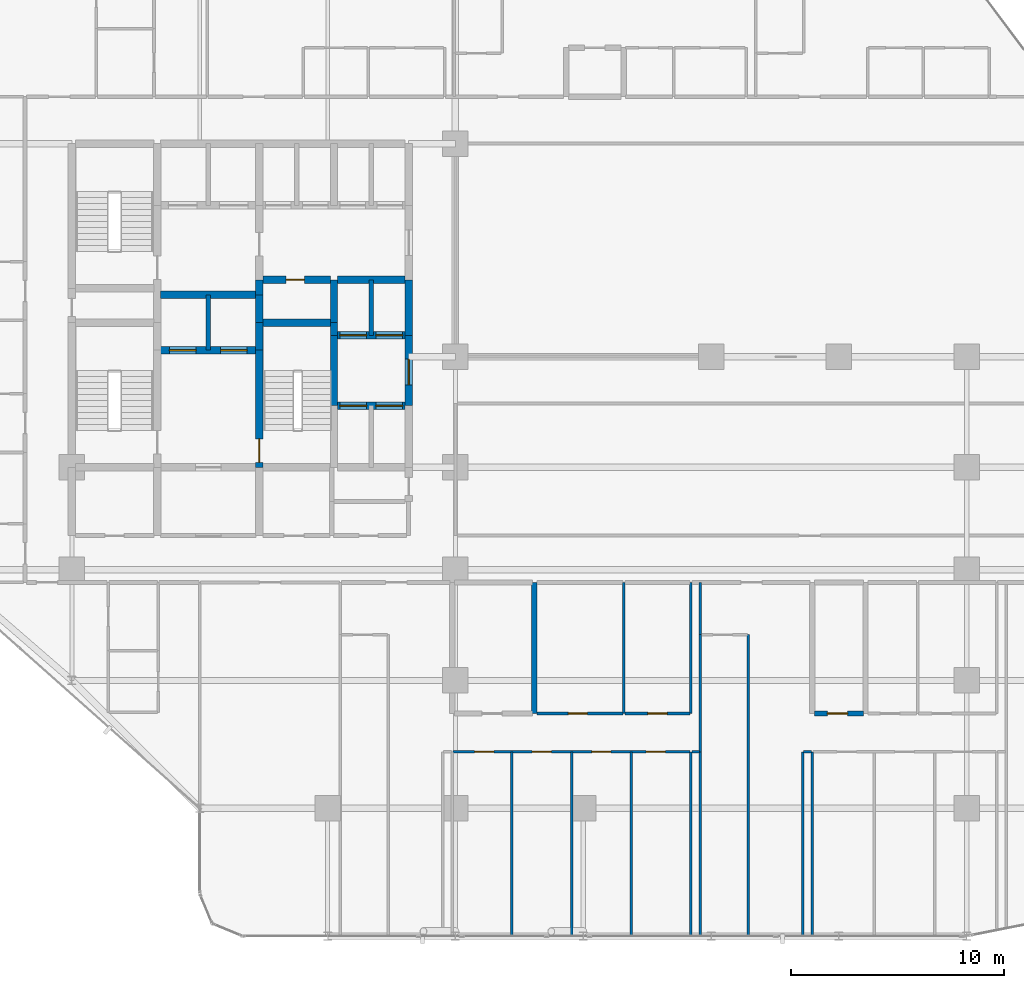
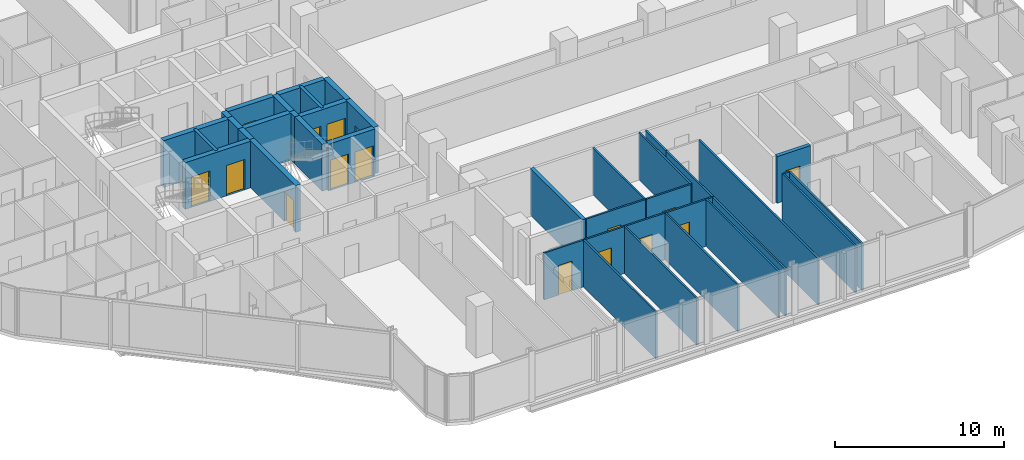
# One storey, part 28 of 34: 37 walls, 16 doors, 16 openings.
"""IFC4 building model written with IfcOpenShell, lengths in metres."""

import ifcopenshell
import ifcopenshell.guid

model = None  # the IFC model being written
_history = None  # IfcOwnerHistory: only IFC2X3 demands one
_inside = {}  # id of a spatial element -> (the spatial element, [elements in it])
_under = {}  # id of a project, library or spatial element -> (it, [spatial elements below it])
_declared = {}  # id of a project -> (the project, [libraries it declares])
_typed = {}  # id of a type object -> (the type object, [elements of that type])
_made_of = {}  # id of a material, layer set ... -> (it, [elements and type objects made of it])


def new_model(schema):
    """Start an empty IFC model of exactly this schema.

    Asked for "IFC4X3", IfcOpenShell would pick the latest addendum, in which some entities
    have other attributes; the version numbers below select the first issue.
    IFC2X3 requires an IfcOwnerHistory on every rooted entity: one is made here for all.
    """
    global model, _history
    if schema == "IFC4X3":
        model = ifcopenshell.file(schema_version=(4, 3, 0, 0))
    else:
        model = ifcopenshell.file(schema=schema)
    _inside.clear()
    _under.clear()
    _declared.clear()
    _typed.clear()
    _made_of.clear()
    _history = None
    if model.schema == "IFC2X3":
        org = make("IfcOrganization", Name="unknown")
        user = make(
            "IfcPersonAndOrganization",
            ThePerson=make("IfcPerson", FamilyName="unknown"),
            TheOrganization=org,
        )
        app = make(
            "IfcApplication",
            ApplicationDeveloper=org,
            Version="unknown",
            ApplicationFullName="unknown",
            ApplicationIdentifier="unknown",
        )
        _history = make(
            "IfcOwnerHistory",
            OwningUser=user,
            OwningApplication=app,
            ChangeAction="ADDED",
            CreationDate=0,
        )
    return model


def make(cls, **values):
    """One entity of the class cls with the attributes given. An attribute that is None is left unset."""
    return model.create_entity(
        cls, **{name: value for name, value in values.items() if value is not None}
    )


def rooted(cls, **values):
    """An entity with a GlobalId (a new one), such as an element, a storey or a relation."""
    return make(cls, GlobalId=ifcopenshell.guid.new(), OwnerHistory=_history, **values)


def si_unit(unit_type, name, prefix=None):
    """IfcSIUnit, for example si_unit("LENGTHUNIT", "METRE", prefix="MILLI")."""
    return make("IfcSIUnit", UnitType=unit_type, Prefix=prefix, Name=name)


def assignment(units):
    """IfcUnitAssignment: the units of a project."""
    return None if units is None else make("IfcUnitAssignment", Units=units)


def point(xyz):
    """IfcCartesianPoint."""
    return None if xyz is None else make("IfcCartesianPoint", Coordinates=xyz)


def direction(xyz):
    """IfcDirection."""
    return None if xyz is None else make("IfcDirection", DirectionRatios=xyz)


def frame(location, z_axis=None, x_axis=None):
    """IfcAxis2Placement3D, a coordinate frame: its origin and axes. An axis left out is left unset."""
    return make(
        "IfcAxis2Placement3D",
        Location=point(location),
        Axis=direction(z_axis),
        RefDirection=direction(x_axis),
    )


def frame_2d(location, x_axis=None):
    """IfcAxis2Placement2D, a coordinate frame in the plane: its origin and x axis."""
    return make(
        "IfcAxis2Placement2D", Location=point(location), RefDirection=direction(x_axis)
    )


def origin():
    """The frame at (0, 0, 0) with its axes left unset."""
    return frame((0.0, 0.0, 0.0))


def place(relative_to, where):
    """IfcLocalPlacement: puts the frame where relative to a parent placement (None: the world)."""
    return make(
        "IfcLocalPlacement", PlacementRelTo=relative_to, RelativePlacement=where
    )


def context(
    kind, dimensions, precision=None, world=None, true_north=None, identifier=None
):
    """IfcGeometricRepresentationContext, for example the 3D "Model" context."""
    return make(
        "IfcGeometricRepresentationContext",
        ContextIdentifier=identifier,
        ContextType=kind,
        CoordinateSpaceDimension=dimensions,
        Precision=precision,
        WorldCoordinateSystem=world,
        TrueNorth=true_north,
    )


def subcontext(parent, identifier, kind, view, scale=None):
    """IfcGeometricRepresentationSubContext, for example "Body" below "Model"."""
    return make(
        "IfcGeometricRepresentationSubContext",
        ContextIdentifier=identifier,
        ContextType=kind,
        ParentContext=parent,
        TargetScale=scale,
        TargetView=view,
    )


def project(units=None, contexts=None):
    """IfcProject with its units and contexts."""
    return rooted(
        "IfcProject",
        Name="project",
        RepresentationContexts=contexts,
        UnitsInContext=assignment(units),
    )


def spatial(cls, under=None, at=None, **own):
    """A site, building, storey or space (cls), placed at a placement, below another one or the project."""
    s = rooted(cls, ObjectPlacement=at, **own)
    if under is not None:
        _under.setdefault(under.id(), (under, []))[1].append(s)
    return s


def profile(cls, at=None, kind="AREA", **sizes):
    """A parametric profile (cls). Its sizes go by their IFC names, for example OverallWidth=200.0."""
    return make(cls, ProfileType=kind, Position=at, **sizes)


def rectangle(**sizes):
    """IfcRectangleProfileDef."""
    return profile("IfcRectangleProfileDef", **sizes)


def extrude(swept, where, along, depth):
    """IfcExtrudedAreaSolid: the profile swept, set in the frame where, extruded along a direction by depth."""
    return make(
        "IfcExtrudedAreaSolid",
        SweptArea=swept,
        Position=where,
        ExtrudedDirection=direction(along),
        Depth=depth,
    )


def shape(context_of_items, identifier, shape_type, items):
    """IfcShapeRepresentation: the items that make up one representation, for example the "Body"."""
    return make(
        "IfcShapeRepresentation",
        ContextOfItems=context_of_items,
        RepresentationIdentifier=identifier,
        RepresentationType=shape_type,
        Items=items,
    )


def material(Name=None, Category=None):
    """IfcMaterial."""
    return make("IfcMaterial", Name=Name, Category=Category)


def layer(
    of_material, thickness, ventilated=None, Name=None, Category=None, Priority=None
):
    """IfcMaterialLayer: one layer of a wall or slab, of a material (None: an air gap)."""
    return make(
        "IfcMaterialLayer",
        Material=of_material,
        LayerThickness=thickness,
        IsVentilated=ventilated,
        Name=Name,
        Category=Category,
        Priority=Priority,
    )


def layer_set(layers, Name=None):
    """IfcMaterialLayerSet."""
    return make("IfcMaterialLayerSet", MaterialLayers=layers, LayerSetName=Name)


def made_of(thing, what):
    """Note that an element or type object is made of a material, layer set ...; save() writes the relation."""
    if what is not None:
        _made_of.setdefault(what.id(), (what, []))[1].append(thing)
    return thing


def type_object(cls, material=None, **own):
    """A type object (cls), such as IfcWallType, which elements share."""
    return made_of(rooted(cls, **own), material)


def element(
    cls,
    number,
    at=None,
    inside=None,
    cuts=None,
    type_object=None,
    material=None,
    context=None,
    identifier="Body",
    shape_type=None,
    held_by="IfcProductDefinitionShape",
    body=None,
    shapes=None,
    **own,
):
    """One element of the class cls, such as IfcWall. Its Tag is "e" and its number.

    at: its placement. inside: the storey or other place that contains it. cuts: it is an
    opening in that element (IfcRelVoidsElement). A single representation is given by context,
    identifier, shape_type and body (its items); several are given by shapes. held_by: the class
    of the entity that holds the representations. save() writes the other relations.
    """
    e = rooted(cls, Tag="e%d" % number, ObjectPlacement=at, **own)
    if body is not None:
        shapes = [shape(context, identifier, shape_type, body)]
    if shapes is not None:
        e.Representation = make(held_by, Representations=shapes)
    if inside is not None:
        _inside.setdefault(inside.id(), (inside, []))[1].append(e)
    if cuts is not None:
        rooted(
            "IfcRelVoidsElement", RelatingBuildingElement=cuts, RelatedOpeningElement=e
        )
    if type_object is not None:
        _typed.setdefault(type_object.id(), (type_object, []))[1].append(e)
    return made_of(e, material)


def fill(opening, filler):
    """IfcRelFillsElement: the door or window that sits in an opening."""
    return rooted(
        "IfcRelFillsElement",
        RelatingOpeningElement=opening,
        RelatedBuildingElement=filler,
    )


def aggregate(whole, parts):
    """IfcRelAggregates: a whole, such as a stair, and the parts it consists of."""
    return rooted("IfcRelAggregates", RelatingObject=whole, RelatedObjects=parts)


def save(model, path):
    """Write the relations noted so far, then the file.

    IfcRelAggregates (storeys below a building ...), IfcRelContainedInSpatialStructure (elements
    in a storey), IfcRelDefinesByType, IfcRelAssociatesMaterial and IfcRelDeclares: one each for
    every whole, place, type object, material and project.
    """
    for whole, parts in _under.values():
        aggregate(whole, parts)
    for where, things in _inside.values():
        rooted(
            "IfcRelContainedInSpatialStructure",
            RelatedElements=things,
            RelatingStructure=where,
        )
    for kind, things in _typed.values():
        rooted("IfcRelDefinesByType", RelatedObjects=things, RelatingType=kind)
    for what, things in _made_of.values():
        rooted("IfcRelAssociatesMaterial", RelatedObjects=things, RelatingMaterial=what)
    for by, libraries in _declared.values():
        rooted("IfcRelDeclares", RelatingContext=by, RelatedDefinitions=libraries)
    model.write(path)


model = new_model("IFC4")

# Units and contexts
model_context = context("Model", 3, precision=1e-05, world=origin(), true_north=direction((0.0, 1.0)))
body_context = subcontext(model_context, "Body", "Model", "MODEL_VIEW")
ifc_project = project(units=[si_unit("LENGTHUNIT", "METRE"), si_unit("AREAUNIT", "SQUARE_METRE"), si_unit("VOLUMEUNIT", "CUBIC_METRE"), si_unit("PLANEANGLEUNIT", "RADIAN"), si_unit("MASSUNIT", "GRAM", prefix="KILO")], contexts=[model_context])

# Site, building, storey
site_placement = place(None, origin())
site = spatial("IfcSite", under=ifc_project, at=site_placement, CompositionType="ELEMENT")
building_placement = place(site_placement, origin())
building = spatial("IfcBuilding", under=site, at=building_placement, Name="Keshet Zoharim Tower", CompositionType="ELEMENT")
storey_placement = place(building_placement, frame((0.0, 0.0, 53.60009765625)))
storey = spatial("IfcBuildingStorey", under=building, at=storey_placement, Name="L12", CompositionType="ELEMENT", Elevation=53.60009765625)

# Wall, opening, door
ifc_material_1 = material(Name="Concrete C60/75", Category="concrete")
ifc_layer_1 = layer(ifc_material_1, 0.35009765625)
ifc_layer_set_1 = layer_set([ifc_layer_1], Name="Concrete C60/75")
wall_type_1 = type_object("IfcWallType", Name="WL-CORE-350", PredefinedType="SHEAR", material=ifc_layer_set_1)
wall_1_placement = place(storey_placement, frame((23.800048828125, 22.699951171875, 0.0), z_axis=(0.0, 0.0, 1.0), x_axis=(0.0, 1.0, 0.0)))
wall_1 = element("IfcWall", 1, at=wall_1_placement, inside=storey, type_object=wall_type_1, Name="L12 Core Shear Wall 035", PredefinedType="SHEAR", context=body_context, shape_type="SweptSolid", body=[
    extrude(rectangle(XDim=5.5, YDim=0.35009765625, at=frame_2d((2.75, 0.0))), origin(), (0.0, 0.0, 1.0), 3.385009765625),
])
opening_1_placement = place(wall_1_placement, frame((0.235107421875, 0.0, 0.0)))
opening_1 = element("IfcOpeningElement", 2, at=opening_1_placement, cuts=wall_1, Name="Opening D-F611", PredefinedType="OPENING", context=body_context, shape_type="SweptSolid", body=[
    extrude(rectangle(XDim=1.10009765625, YDim=2.14990234375, at=frame_2d((0.550048828125, 1.074951171875))), frame((0.0, 0.18505859375, 0.0), z_axis=(0.0, -1.0, 0.0), x_axis=(1.0, 0.0, 0.0)), (0.0, 0.0, 1.0), 0.3701171875),
])
ifc_material_2 = material(Name="Hardwood Timber", Category="wood")
door_type_1 = type_object("IfcDoorType", Name="DR-FD60-110", OperationType="NOTDEFINED", PredefinedType="DOOR", material=ifc_material_2)
door_1_placement = place(opening_1_placement, frame((1.10009765625, 0.0, 0.0), z_axis=(0.0, 0.0, 1.0), x_axis=(-1.0, 0.0, 0.0)))
door_1 = element("IfcDoor", 3, at=door_1_placement, inside=storey, type_object=door_type_1, Name="L12 Exit Stair ST-03 Fire Door", OperationType="SINGLE_SWING_LEFT", OverallHeight=2.14990234375, OverallWidth=1.10009765625, PredefinedType="DOOR", context=body_context, shape_type="SweptSolid", body=[
    extrude(rectangle(XDim=1.10009765625, YDim=2.14990234375, at=frame_2d((0.550048828125, 1.074951171875))), frame((0.0, 0.02490234375, 0.0), z_axis=(0.0, -1.0, 0.0), x_axis=(1.0, 0.0, 0.0)), (0.0, 0.0, 1.0), 0.050048828125),
])
fill(opening_1, door_1)

# Walls
for number, where, z_axis, x_axis, name in (
    (4, (23.800048828125, 28.199951171875, 0.0), (0.0, 0.0, 1.0), (0.0, 1.0, 0.0), "L12 Core Shear Wall 036"),
    (5, (23.800048828125, 29.5, 0.0), (0.0, 0.0, 1.0), (0.0, 1.0, 0.0), "L12 Core Shear Wall 037"),
):
    element("IfcWall", number, at=place(storey_placement, frame(where, z_axis=z_axis, x_axis=x_axis)), inside=storey, type_object=wall_type_1, Name=name, PredefinedType="SHEAR", context=body_context, shape_type="SweptSolid", body=[
        extrude(rectangle(XDim=1.300048828125, YDim=0.35009765625, at=frame_2d((0.64990234375, 0.0))), origin(), (0.0, 0.0, 1.0), 3.385009765625),
    ])
wall_2_placement = place(storey_placement, frame((23.800048828125, 30.800048828125, 0.0), z_axis=(0.0, 0.0, 1.0), x_axis=(0.0, 1.0, 0.0)))
element("IfcWall", 6, at=wall_2_placement, inside=storey, type_object=wall_type_1, Name="L12 Core Shear Wall 038", PredefinedType="SHEAR", context=body_context, shape_type="SweptSolid", body=[
    extrude(rectangle(XDim=0.699951171875, YDim=0.35009765625, at=frame_2d((0.35009765625, 0.0))), origin(), (0.0, 0.0, 1.0), 3.385009765625),
])
wall_3_placement = place(storey_placement, frame((27.300048828125, 25.60009765625, 0.0), z_axis=(0.0, 0.0, 1.0), x_axis=(0.0, 1.0, 0.0)))
element("IfcWall", 7, at=wall_3_placement, inside=storey, type_object=wall_type_1, Name="L12 Core Shear Wall 048", PredefinedType="SHEAR", context=body_context, shape_type="SweptSolid", body=[
    extrude(rectangle(XDim=3.2998046875, YDim=0.35009765625, at=frame_2d((1.64990234375, 0.0))), origin(), (0.0, 0.0, 1.0), 3.385009765625),
])
wall_4_placement = place(storey_placement, frame((27.300048828125, 28.89990234375, 0.0), z_axis=(0.0, 0.0, 1.0), x_axis=(0.0, 1.0, 0.0)))
element("IfcWall", 8, at=wall_4_placement, inside=storey, type_object=wall_type_1, Name="L12 Core Shear Wall 049", PredefinedType="SHEAR", context=body_context, shape_type="SweptSolid", body=[
    extrude(rectangle(XDim=0.60009765625, YDim=0.35009765625, at=frame_2d((0.300048828125, 0.0))), origin(), (0.0, 0.0, 1.0), 3.385009765625),
])
wall_5_placement = place(storey_placement, frame((27.300048828125, 29.5, 0.0), z_axis=(0.0, 0.0, 1.0), x_axis=(0.0, 1.0, 0.0)))
element("IfcWall", 9, at=wall_5_placement, inside=storey, type_object=wall_type_1, Name="L12 Core Shear Wall 050", PredefinedType="SHEAR", context=body_context, shape_type="SweptSolid", body=[
    extrude(rectangle(XDim=2.0, YDim=0.35009765625, at=frame_2d((1.0, 0.0))), origin(), (0.0, 0.0, 1.0), 3.385009765625),
])

# Wall, opening, door
wall_6_placement = place(storey_placement, frame((30.800048828125, 25.60009765625, 0.0), z_axis=(0.0, 0.0, 1.0), x_axis=(0.0, 1.0, 0.0)))
wall_6 = element("IfcWall", 10, at=wall_6_placement, inside=storey, type_object=wall_type_1, Name="L12 Core Shear Wall 063", PredefinedType="SHEAR", context=body_context, shape_type="SweptSolid", body=[
    extrude(rectangle(XDim=3.2998046875, YDim=0.35009765625, at=frame_2d((1.64990234375, 0.0))), origin(), (0.0, 0.0, 1.0), 3.385009765625),
])
opening_2_placement = place(wall_6_placement, frame((0.97802734375, 0.0, 0.0)))
opening_2 = element("IfcOpeningElement", 11, at=opening_2_placement, cuts=wall_6, Name="Opening D-F612", PredefinedType="OPENING", context=body_context, shape_type="SweptSolid", body=[
    extrude(rectangle(XDim=1.199951171875, YDim=2.199951171875, at=frame_2d((0.60009765625, 1.10009765625))), frame((0.0, 0.18505859375, 0.0), z_axis=(0.0, -1.0, 0.0), x_axis=(1.0, 0.0, 0.0)), (0.0, 0.0, 1.0), 0.3701171875),
])
door_type_2 = type_object("IfcDoorType", Name="DR-FD60-120", OperationType="NOTDEFINED", PredefinedType="DOOR", material=ifc_material_2)
door_2_placement = place(opening_2_placement, origin())
door_2 = element("IfcDoor", 12, at=door_2_placement, inside=storey, type_object=door_type_2, Name="L12 East Lift Lobby Fire Door", OperationType="SINGLE_SWING_RIGHT", OverallHeight=2.199951171875, OverallWidth=1.199951171875, PredefinedType="DOOR", context=body_context, shape_type="SweptSolid", body=[
    extrude(rectangle(XDim=1.199951171875, YDim=2.199951171875, at=frame_2d((0.60009765625, 1.10009765625))), frame((0.0, 0.02490234375, 0.0), z_axis=(0.0, -1.0, 0.0), x_axis=(1.0, 0.0, 0.0)), (0.0, 0.0, 1.0), 0.050048828125),
])
fill(opening_2, door_2)

# Wall
wall_7_placement = place(storey_placement, frame((30.800048828125, 28.89990234375, 0.0), z_axis=(0.0, 0.0, 1.0), x_axis=(0.0, 1.0, 0.0)))
element("IfcWall", 13, at=wall_7_placement, inside=storey, type_object=wall_type_1, Name="L12 Core Shear Wall 064", PredefinedType="SHEAR", context=body_context, shape_type="SweptSolid", body=[
    extrude(rectangle(XDim=2.60009765625, YDim=0.35009765625, at=frame_2d((1.300048828125, 0.0))), origin(), (0.0, 0.0, 1.0), 3.385009765625),
])

# Wall, openings, doors
wall_8_placement = place(storey_placement, frame((27.4599609375, 25.60009765625, 0.0), z_axis=(0.0, 0.0, 1.0), x_axis=(1.0, 0.0, 0.0)))
wall_8 = element("IfcWall", 14, at=wall_8_placement, inside=storey, type_object=wall_type_1, Name="L12 Core Shear Wall 181", PredefinedType="SHEAR", context=body_context, shape_type="SweptSolid", body=[
    extrude(rectangle(XDim=3.179931640625, YDim=0.35009765625, at=frame_2d((1.58984375, 0.0))), origin(), (0.0, 0.0, 1.0), 3.385009765625),
])
opening_3_placement = place(wall_8_placement, frame((0.1201171875, 0.0, 0.0)))
opening_3 = element("IfcOpeningElement", 15, at=opening_3_placement, cuts=wall_8, Name="Opening LD-01", PredefinedType="OPENING", context=body_context, shape_type="SweptSolid", body=[
    extrude(rectangle(XDim=1.25, YDim=2.199951171875, at=frame_2d((0.625, 1.10009765625))), frame((0.0, 0.18505859375, 0.0), z_axis=(0.0, -1.0, 0.0), x_axis=(1.0, 0.0, 0.0)), (0.0, 0.0, 1.0), 0.3701171875),
])
opening_4_placement = place(wall_8_placement, frame((1.81005859375, 0.0, 0.0)))
opening_4 = element("IfcOpeningElement", 16, at=opening_4_placement, cuts=wall_8, Name="Opening LD-01", PredefinedType="OPENING", context=body_context, shape_type="SweptSolid", body=[
    extrude(rectangle(XDim=1.25, YDim=2.199951171875, at=frame_2d((0.625, 1.10009765625))), frame((0.0, 0.18505859375, 0.0), z_axis=(0.0, -1.0, 0.0), x_axis=(1.0, 0.0, 0.0)), (0.0, 0.0, 1.0), 0.3701171875),
])
ifc_material_3 = material(Name="Steel S355", Category="steel")
door_type_3 = type_object("IfcDoorType", Name="DR-LD01-125", OperationType="DOUBLE_DOOR_SLIDING", PredefinedType="DOOR", material=ifc_material_3)
door_3_placement = place(opening_3_placement, origin())
door_3 = element("IfcDoor", 17, at=door_3_placement, inside=storey, type_object=door_type_3, Name="L12 Passenger Lift Landing Door LF-07", OperationType="DOUBLE_DOOR_SLIDING", OverallHeight=2.199951171875, OverallWidth=1.25, PredefinedType="DOOR", context=body_context, shape_type="SweptSolid", body=[
    extrude(rectangle(XDim=1.25, YDim=2.199951171875, at=frame_2d((0.625, 1.10009765625))), frame((0.0, 0.02490234375, 0.0), z_axis=(0.0, -1.0, 0.0), x_axis=(1.0, 0.0, 0.0)), (0.0, 0.0, 1.0), 0.050048828125),
])
fill(opening_3, door_3)
door_4_placement = place(opening_4_placement, origin())
door_4 = element("IfcDoor", 18, at=door_4_placement, inside=storey, type_object=door_type_3, Name="L12 Passenger Lift Landing Door LF-08", OperationType="DOUBLE_DOOR_SLIDING", OverallHeight=2.199951171875, OverallWidth=1.25, PredefinedType="DOOR", context=body_context, shape_type="SweptSolid", body=[
    extrude(rectangle(XDim=1.25, YDim=2.199951171875, at=frame_2d((0.625, 1.10009765625))), frame((0.0, 0.02490234375, 0.0), z_axis=(0.0, -1.0, 0.0), x_axis=(1.0, 0.0, 0.0)), (0.0, 0.0, 1.0), 0.050048828125),
])
fill(opening_4, door_4)

wall_9_placement = place(storey_placement, frame((19.159912109375, 28.199951171875, 0.0), z_axis=(0.0, 0.0, 1.0), x_axis=(1.0, 0.0, 0.0)))
wall_9 = element("IfcWall", 19, at=wall_9_placement, inside=storey, type_object=wall_type_1, Name="L12 Core Shear Wall 187", PredefinedType="SHEAR", context=body_context, shape_type="SweptSolid", body=[
    extrude(rectangle(XDim=4.47998046875, YDim=0.35009765625, at=frame_2d((2.239990234375, 0.0))), origin(), (0.0, 0.0, 1.0), 3.385009765625),
])
opening_5_placement = place(wall_9_placement, frame((0.4150390625, 0.0, 0.0)))
opening_5 = element("IfcOpeningElement", 20, at=opening_5_placement, cuts=wall_9, Name="Opening LD-01", PredefinedType="OPENING", context=body_context, shape_type="SweptSolid", body=[
    extrude(rectangle(XDim=1.25, YDim=2.199951171875, at=frame_2d((0.625, 1.10009765625))), frame((0.0, 0.18505859375, 0.0), z_axis=(0.0, -1.0, 0.0), x_axis=(1.0, 0.0, 0.0)), (0.0, 0.0, 1.0), 0.3701171875),
])
opening_6_placement = place(wall_9_placement, frame((2.81494140625, 0.0, 0.0)))
opening_6 = element("IfcOpeningElement", 21, at=opening_6_placement, cuts=wall_9, Name="Opening LD-01", PredefinedType="OPENING", context=body_context, shape_type="SweptSolid", body=[
    extrude(rectangle(XDim=1.25, YDim=2.199951171875, at=frame_2d((0.625, 1.10009765625))), frame((0.0, 0.18505859375, 0.0), z_axis=(0.0, -1.0, 0.0), x_axis=(1.0, 0.0, 0.0)), (0.0, 0.0, 1.0), 0.3701171875),
])
door_5_placement = place(opening_5_placement, origin())
door_5 = element("IfcDoor", 22, at=door_5_placement, inside=storey, type_object=door_type_3, Name="L12 Passenger Lift Landing Door LF-09", OperationType="DOUBLE_DOOR_SLIDING", OverallHeight=2.199951171875, OverallWidth=1.25, PredefinedType="DOOR", context=body_context, shape_type="SweptSolid", body=[
    extrude(rectangle(XDim=1.25, YDim=2.199951171875, at=frame_2d((0.625, 1.10009765625))), frame((0.0, 0.02490234375, 0.0), z_axis=(0.0, -1.0, 0.0), x_axis=(1.0, 0.0, 0.0)), (0.0, 0.0, 1.0), 0.050048828125),
])
fill(opening_5, door_5)
door_6_placement = place(opening_6_placement, origin())
door_6 = element("IfcDoor", 23, at=door_6_placement, inside=storey, type_object=door_type_3, Name="L12 Passenger Lift Landing Door LF-10", OperationType="DOUBLE_DOOR_SLIDING", OverallHeight=2.199951171875, OverallWidth=1.25, PredefinedType="DOOR", context=body_context, shape_type="SweptSolid", body=[
    extrude(rectangle(XDim=1.25, YDim=2.199951171875, at=frame_2d((0.625, 1.10009765625))), frame((0.0, 0.02490234375, 0.0), z_axis=(0.0, -1.0, 0.0), x_axis=(1.0, 0.0, 0.0)), (0.0, 0.0, 1.0), 0.050048828125),
])
fill(opening_6, door_6)

wall_10_placement = place(storey_placement, frame((27.4599609375, 28.89990234375, 0.0), z_axis=(0.0, 0.0, 1.0), x_axis=(1.0, 0.0, 0.0)))
wall_10 = element("IfcWall", 24, at=wall_10_placement, inside=storey, type_object=wall_type_1, Name="L12 Core Shear Wall 188", PredefinedType="SHEAR", context=body_context, shape_type="SweptSolid", body=[
    extrude(rectangle(XDim=3.179931640625, YDim=0.35009765625, at=frame_2d((1.58984375, 0.0))), origin(), (0.0, 0.0, 1.0), 3.385009765625),
])
opening_7_placement = place(wall_10_placement, frame((0.1201171875, 0.0, 0.0)))
opening_7 = element("IfcOpeningElement", 25, at=opening_7_placement, cuts=wall_10, Name="Opening LD-01", PredefinedType="OPENING", context=body_context, shape_type="SweptSolid", body=[
    extrude(rectangle(XDim=1.25, YDim=2.199951171875, at=frame_2d((0.625, 1.10009765625))), frame((0.0, 0.18505859375, 0.0), z_axis=(0.0, -1.0, 0.0), x_axis=(1.0, 0.0, 0.0)), (0.0, 0.0, 1.0), 0.3701171875),
])
opening_8_placement = place(wall_10_placement, frame((1.81005859375, 0.0, 0.0)))
opening_8 = element("IfcOpeningElement", 26, at=opening_8_placement, cuts=wall_10, Name="Opening LD-01", PredefinedType="OPENING", context=body_context, shape_type="SweptSolid", body=[
    extrude(rectangle(XDim=1.25, YDim=2.199951171875, at=frame_2d((0.625, 1.10009765625))), frame((0.0, 0.18505859375, 0.0), z_axis=(0.0, -1.0, 0.0), x_axis=(1.0, 0.0, 0.0)), (0.0, 0.0, 1.0), 0.3701171875),
])
door_7_placement = place(opening_7_placement, origin())
door_7 = element("IfcDoor", 27, at=door_7_placement, inside=storey, type_object=door_type_3, Name="L12 Passenger Lift Landing Door LF-05", OperationType="DOUBLE_DOOR_SLIDING", OverallHeight=2.199951171875, OverallWidth=1.25, PredefinedType="DOOR", context=body_context, shape_type="SweptSolid", body=[
    extrude(rectangle(XDim=1.25, YDim=2.199951171875, at=frame_2d((0.625, 1.10009765625))), frame((0.0, 0.02490234375, 0.0), z_axis=(0.0, -1.0, 0.0), x_axis=(1.0, 0.0, 0.0)), (0.0, 0.0, 1.0), 0.050048828125),
])
fill(opening_7, door_7)
door_8_placement = place(opening_8_placement, origin())
door_8 = element("IfcDoor", 28, at=door_8_placement, inside=storey, type_object=door_type_3, Name="L12 Passenger Lift Landing Door LF-06", OperationType="DOUBLE_DOOR_SLIDING", OverallHeight=2.199951171875, OverallWidth=1.25, PredefinedType="DOOR", context=body_context, shape_type="SweptSolid", body=[
    extrude(rectangle(XDim=1.25, YDim=2.199951171875, at=frame_2d((0.625, 1.10009765625))), frame((0.0, 0.02490234375, 0.0), z_axis=(0.0, -1.0, 0.0), x_axis=(1.0, 0.0, 0.0)), (0.0, 0.0, 1.0), 0.050048828125),
])
fill(opening_8, door_8)

# Walls
wall_11_placement = place(storey_placement, frame((23.9599609375, 29.5, 0.0), z_axis=(0.0, 0.0, 1.0), x_axis=(1.0, 0.0, 0.0)))
element("IfcWall", 29, at=wall_11_placement, inside=storey, type_object=wall_type_1, Name="L12 Core Shear Wall 190", PredefinedType="SHEAR", context=body_context, shape_type="SweptSolid", body=[
    extrude(rectangle(XDim=3.179931640625, YDim=0.35009765625, at=frame_2d((1.58984375, 0.0))), origin(), (0.0, 0.0, 1.0), 3.385009765625),
])
wall_12_placement = place(storey_placement, frame((19.159912109375, 30.800048828125, 0.0), z_axis=(0.0, 0.0, 1.0), x_axis=(1.0, 0.0, 0.0)))
element("IfcWall", 30, at=wall_12_placement, inside=storey, type_object=wall_type_1, Name="L12 Core Shear Wall 194", PredefinedType="SHEAR", context=body_context, shape_type="SweptSolid", body=[
    extrude(rectangle(XDim=4.47998046875, YDim=0.35009765625, at=frame_2d((2.239990234375, 0.0))), origin(), (0.0, 0.0, 1.0), 3.385009765625),
])

# Wall, opening, door
wall_13_placement = place(storey_placement, frame((23.9599609375, 31.5, 0.0), z_axis=(0.0, 0.0, 1.0), x_axis=(1.0, 0.0, 0.0)))
wall_13 = element("IfcWall", 31, at=wall_13_placement, inside=storey, type_object=wall_type_1, Name="L12 Core Shear Wall 196", PredefinedType="SHEAR", context=body_context, shape_type="SweptSolid", body=[
    extrude(rectangle(XDim=3.179931640625, YDim=0.35009765625, at=frame_2d((1.58984375, 0.0))), origin(), (0.0, 0.0, 1.0), 3.385009765625),
])
opening_9_placement = place(wall_13_placement, frame((1.093994140625, 0.0, 0.0)))
opening_9 = element("IfcOpeningElement", 32, at=opening_9_placement, cuts=wall_13, Name="Opening D-RS85", PredefinedType="OPENING", context=body_context, shape_type="SweptSolid", body=[
    extrude(rectangle(XDim=0.85009765625, YDim=2.10009765625, at=frame_2d((0.425048828125, 1.050048828125))), frame((0.0, 0.18505859375, 0.0), z_axis=(0.0, -1.0, 0.0), x_axis=(1.0, 0.0, 0.0)), (0.0, 0.0, 1.0), 0.3701171875),
])
door_type_4 = type_object("IfcDoorType", Name="DR-RIS-085", OperationType="NOTDEFINED", PredefinedType="DOOR", material=ifc_material_2)
door_9_placement = place(opening_9_placement, origin())
door_9 = element("IfcDoor", 33, at=door_9_placement, inside=storey, type_object=door_type_4, Name="L12 Telecom Riser Access Cupboard Door", OperationType="SINGLE_SWING_LEFT", OverallHeight=2.10009765625, OverallWidth=0.85009765625, PredefinedType="DOOR", context=body_context, shape_type="SweptSolid", body=[
    extrude(rectangle(XDim=0.85009765625, YDim=2.10009765625, at=frame_2d((0.425048828125, 1.050048828125))), frame((0.0, 0.02490234375, 0.0), z_axis=(0.0, -1.0, 0.0), x_axis=(1.0, 0.0, 0.0)), (0.0, 0.0, 1.0), 0.050048828125),
])
fill(opening_9, door_9)

# Walls
wall_14_placement = place(storey_placement, frame((27.4599609375, 31.5, 0.0), z_axis=(0.0, 0.0, 1.0), x_axis=(1.0, 0.0, 0.0)))
element("IfcWall", 34, at=wall_14_placement, inside=storey, type_object=wall_type_1, Name="L12 Core Shear Wall 197", PredefinedType="SHEAR", context=body_context, shape_type="SweptSolid", body=[
    extrude(rectangle(XDim=3.179931640625, YDim=0.35009765625, at=frame_2d((1.58984375, 0.0))), origin(), (0.0, 0.0, 1.0), 3.385009765625),
])
ifc_material_4 = material(Name="Concrete C50/60", Category="concrete")
ifc_layer_2 = layer(ifc_material_4, 0.199951171875)
ifc_layer_set_2 = layer_set([ifc_layer_2], Name="Concrete C50/60")
wall_type_2 = type_object("IfcWallType", Name="WL-FIRE-200", PredefinedType="STANDARD", material=ifc_layer_set_2)
for number, where, z_axis, x_axis, name in (
    (35, (21.39990234375, 28.199951171875, 0.0), (0.0, 0.0, 1.0), (0.0, 1.0, 0.0), "L12 Interior Wall 032"),
    (36, (29.050048828125, 28.89990234375, 0.0), (0.0, 0.0, 1.0), (0.0, 1.0, 0.0), "L12 Interior Wall 056"),
):
    element("IfcWall", number, at=place(storey_placement, frame(where, z_axis=z_axis, x_axis=x_axis)), inside=storey, type_object=wall_type_2, Name=name, PredefinedType="STANDARD", context=body_context, shape_type="SweptSolid", body=[
        extrude(rectangle(XDim=2.60009765625, YDim=0.199951171875, at=frame_2d((1.300048828125, 0.0))), origin(), (0.0, 0.0, 1.0), 3.385009765625),
    ])
ifc_layer_3 = layer(ifc_material_4, 0.25)
ifc_layer_set_3 = layer_set([ifc_layer_3], Name="Concrete C50/60")
wall_type_3 = type_object("IfcWallType", Name="WL-MAMAD-250", PredefinedType="STANDARD", material=ifc_layer_set_3)
wall_15_placement = place(storey_placement, frame((36.699951171875, 11.14990234375, 0.0), z_axis=(0.0, 0.0, 1.0), x_axis=(0.0, 1.0, 0.0)))
element("IfcWall", 37, at=wall_15_placement, inside=storey, type_object=wall_type_3, Name="L12 Interior Wall 079", PredefinedType="STANDARD", context=body_context, shape_type="SweptSolid", body=[
    extrude(rectangle(XDim=6.150146484375, YDim=0.25, at=frame_2d((3.0751953125, 0.0))), origin(), (0.0, 0.0, 1.0), 3.385009765625),
])

# Wall, opening, door
wall_16_placement = place(storey_placement, frame((49.860107421875, 11.14990234375, 0.0), z_axis=(0.0, 0.0, 1.0), x_axis=(1.0, 0.0, 0.0)))
wall_16 = element("IfcWall", 38, at=wall_16_placement, inside=storey, type_object=wall_type_3, Name="L12 Interior Wall 138", PredefinedType="STANDARD", context=body_context, shape_type="SweptSolid", body=[
    extrude(rectangle(XDim=2.290771484375, YDim=0.25, at=frame_2d((1.1455078125, 0.0))), origin(), (0.0, 0.0, 1.0), 3.385009765625),
])
opening_10_placement = place(wall_16_placement, frame((0.595947265625, 0.0, 0.0)))
opening_10 = element("IfcOpeningElement", 39, at=opening_10_placement, cuts=wall_16, Name="Opening D-F695", PredefinedType="OPENING", context=body_context, shape_type="SweptSolid", body=[
    extrude(rectangle(XDim=0.949951171875, YDim=2.14990234375, at=frame_2d((0.47509765625, 1.074951171875))), frame((0.0, 0.135009765625, 0.0), z_axis=(0.0, -1.0, 0.0), x_axis=(1.0, 0.0, 0.0)), (0.0, 0.0, 1.0), 0.27001953125),
])
door_type_5 = type_object("IfcDoorType", Name="DR-FD60-095", OperationType="NOTDEFINED", PredefinedType="DOOR", material=ifc_material_2)
door_10_placement = place(opening_10_placement, origin())
door_10 = element("IfcDoor", 40, at=door_10_placement, inside=storey, type_object=door_type_5, Name="Apartment 1203 Study and Shelter Room Door", OperationType="SINGLE_SWING_RIGHT", OverallHeight=2.14990234375, OverallWidth=0.949951171875, PredefinedType="DOOR", context=body_context, shape_type="SweptSolid", body=[
    extrude(rectangle(XDim=0.949951171875, YDim=2.14990234375, at=frame_2d((0.47509765625, 1.074951171875))), frame((0.0, 0.02490234375, 0.0), z_axis=(0.0, -1.0, 0.0), x_axis=(1.0, 0.0, 0.0)), (0.0, 0.0, 1.0), 0.050048828125),
])
fill(opening_10, door_10)

# Walls
ifc_material_5 = material(Name="Gypsum Plasterboard", Category="gypsum")
ifc_layer_4 = layer(ifc_material_5, 0.1201171875)
ifc_layer_set_4 = layer_set([ifc_layer_4], Name="Gypsum Plasterboard")
wall_type_4 = type_object("IfcWallType", Name="WL-PART-120", PredefinedType="PARTITIONING", material=ifc_layer_set_4)
for number, where, z_axis, x_axis, name in (
    (41, (35.64990234375, 0.7099609375, 0.0), (0.0, 0.0, 1.0), (0.0, 1.0, 0.0), "L12 Interior Wall 078"),
    (42, (38.449951171875, 0.7099609375, 0.0), (0.0, 0.0, 1.0), (0.0, 1.0, 0.0), "L12 Interior Wall 083"),
    (43, (41.25, 0.7099609375, 0.0), (0.0, 0.0, 1.0), (0.0, 1.0, 0.0), "L12 Interior Wall 087"),
    (44, (44.050048828125, 0.7099609375, 0.0), (0.0, 0.0, 1.0), (0.0, 1.0, 0.0), "L12 Interior Wall 090"),
    (45, (44.5, 0.7099609375, 0.0), (0.0, 0.0, 1.0), (0.0, 1.0, 0.0), "L12 Interior Wall 092"),
):
    element("IfcWall", number, at=place(storey_placement, frame(where, z_axis=z_axis, x_axis=x_axis)), inside=storey, type_object=wall_type_4, Name=name, PredefinedType="PARTITIONING", context=body_context, shape_type="SweptSolid", body=[
        extrude(rectangle(XDim=8.64013671875, YDim=0.1201171875, at=frame_2d((4.320068359375, 0.0))), origin(), (0.0, 0.0, 1.0), 3.385009765625),
    ])
wall_17_placement = place(storey_placement, frame((44.5, 9.35009765625, 0.0), z_axis=(0.0, 0.0, 1.0), x_axis=(0.0, 1.0, 0.0)))
element("IfcWall", 46, at=wall_17_placement, inside=storey, type_object=wall_type_4, Name="L12 Interior Wall 093", PredefinedType="PARTITIONING", context=body_context, shape_type="SweptSolid", body=[
    extrude(rectangle(XDim=5.5, YDim=0.1201171875, at=frame_2d((2.75, 0.0))), origin(), (0.0, 0.0, 1.0), 3.385009765625),
])
wall_18_placement = place(storey_placement, frame((44.5, 14.85009765625, 0.0), z_axis=(0.0, 0.0, 1.0), x_axis=(0.0, 1.0, 0.0)))
element("IfcWall", 47, at=wall_18_placement, inside=storey, type_object=wall_type_4, Name="L12 Interior Wall 094", PredefinedType="PARTITIONING", context=body_context, shape_type="SweptSolid", body=[
    extrude(rectangle(XDim=2.449951171875, YDim=0.1201171875, at=frame_2d((1.22509765625, 0.0))), origin(), (0.0, 0.0, 1.0), 3.385009765625),
])
wall_19_placement = place(storey_placement, frame((46.75, 0.7099609375, 0.0), z_axis=(0.0, 0.0, 1.0), x_axis=(0.0, 1.0, 0.0)))
element("IfcWall", 48, at=wall_19_placement, inside=storey, type_object=wall_type_4, Name="L12 Interior Wall 097", PredefinedType="PARTITIONING", context=body_context, shape_type="SweptSolid", body=[
    extrude(rectangle(XDim=14.14013671875, YDim=0.1201171875, at=frame_2d((7.070068359375, 0.0))), origin(), (0.0, 0.0, 1.0), 3.385009765625),
])
for number, where, z_axis, x_axis, name in (
    (49, (49.300048828125, 0.7099609375, 0.0), (0.0, 0.0, 1.0), (0.0, 1.0, 0.0), "L12 Interior Wall 101"),
    (50, (49.75, 0.7099609375, 0.0), (0.0, 0.0, 1.0), (0.0, 1.0, 0.0), "L12 Interior Wall 103"),
):
    element("IfcWall", number, at=place(storey_placement, frame(where, z_axis=z_axis, x_axis=x_axis)), inside=storey, type_object=wall_type_4, Name=name, PredefinedType="PARTITIONING", context=body_context, shape_type="SweptSolid", body=[
        extrude(rectangle(XDim=8.64013671875, YDim=0.1201171875, at=frame_2d((4.320068359375, 0.0))), origin(), (0.0, 0.0, 1.0), 3.385009765625),
    ])

# Wall, openings, doors
wall_20_placement = place(storey_placement, frame((32.89501953125, 9.35009765625, 0.0), z_axis=(0.0, 0.0, 1.0), x_axis=(1.0, 0.0, 0.0)))
wall_20 = element("IfcWall", 51, at=wall_20_placement, inside=storey, type_object=wall_type_4, Name="L12 Interior Wall 128", PredefinedType="PARTITIONING", context=body_context, shape_type="SweptSolid", body=[
    extrude(rectangle(XDim=11.10986328125, YDim=0.1201171875, at=frame_2d((5.554931640625, 0.0))), origin(), (0.0, 0.0, 1.0), 3.385009765625),
])
opening_11_placement = place(wall_20_placement, frame((1.006103515625, 0.0, 0.0)))
opening_11 = element("IfcOpeningElement", 52, at=opening_11_placement, cuts=wall_20, Name="Opening D-IN90", PredefinedType="OPENING", context=body_context, shape_type="SweptSolid", body=[
    extrude(rectangle(XDim=0.89990234375, YDim=2.14990234375, at=frame_2d((0.449951171875, 1.074951171875))), frame((0.0, 0.070068359375, 0.0), z_axis=(0.0, -1.0, 0.0), x_axis=(1.0, 0.0, 0.0)), (0.0, 0.0, 1.0), 0.14013671875),
])
opening_12_placement = place(wall_20_placement, frame((3.705078125, 0.0, 0.0)))
opening_12 = element("IfcOpeningElement", 53, at=opening_12_placement, cuts=wall_20, Name="Opening D-IN90", PredefinedType="OPENING", context=body_context, shape_type="SweptSolid", body=[
    extrude(rectangle(XDim=0.89990234375, YDim=2.14990234375, at=frame_2d((0.449951171875, 1.074951171875))), frame((0.0, 0.070068359375, 0.0), z_axis=(0.0, -1.0, 0.0), x_axis=(1.0, 0.0, 0.0)), (0.0, 0.0, 1.0), 0.14013671875),
])
opening_13_placement = place(wall_20_placement, frame((6.5048828125, 0.0, 0.0)))
opening_13 = element("IfcOpeningElement", 54, at=opening_13_placement, cuts=wall_20, Name="Opening D-IN90", PredefinedType="OPENING", context=body_context, shape_type="SweptSolid", body=[
    extrude(rectangle(XDim=0.89990234375, YDim=2.14990234375, at=frame_2d((0.449951171875, 1.074951171875))), frame((0.0, 0.070068359375, 0.0), z_axis=(0.0, -1.0, 0.0), x_axis=(1.0, 0.0, 0.0)), (0.0, 0.0, 1.0), 0.14013671875),
])
opening_14_placement = place(wall_20_placement, frame((9.055908203125, 0.0, 0.0)))
opening_14 = element("IfcOpeningElement", 55, at=opening_14_placement, cuts=wall_20, Name="Opening D-IN90", PredefinedType="OPENING", context=body_context, shape_type="SweptSolid", body=[
    extrude(rectangle(XDim=0.89990234375, YDim=2.14990234375, at=frame_2d((0.449951171875, 1.074951171875))), frame((0.0, 0.070068359375, 0.0), z_axis=(0.0, -1.0, 0.0), x_axis=(1.0, 0.0, 0.0)), (0.0, 0.0, 1.0), 0.14013671875),
])
door_type_6 = type_object("IfcDoorType", Name="DR-INT-090", OperationType="NOTDEFINED", PredefinedType="DOOR", material=ifc_material_2)
door_11_placement = place(opening_11_placement, origin())
door_11 = element("IfcDoor", 56, at=door_11_placement, inside=storey, type_object=door_type_6, Name="Apartment 1202 Bedroom 1 Door", OperationType="SINGLE_SWING_RIGHT", OverallHeight=2.14990234375, OverallWidth=0.89990234375, PredefinedType="DOOR", context=body_context, shape_type="SweptSolid", body=[
    extrude(rectangle(XDim=0.89990234375, YDim=2.14990234375, at=frame_2d((0.449951171875, 1.074951171875))), frame((0.0, 0.02490234375, 0.0), z_axis=(0.0, -1.0, 0.0), x_axis=(1.0, 0.0, 0.0)), (0.0, 0.0, 1.0), 0.050048828125),
])
fill(opening_11, door_11)
door_12_placement = place(opening_12_placement, origin())
door_12 = element("IfcDoor", 57, at=door_12_placement, inside=storey, type_object=door_type_6, Name="Apartment 1202 Bedroom 2 Door", OperationType="SINGLE_SWING_LEFT", OverallHeight=2.14990234375, OverallWidth=0.89990234375, PredefinedType="DOOR", context=body_context, shape_type="SweptSolid", body=[
    extrude(rectangle(XDim=0.89990234375, YDim=2.14990234375, at=frame_2d((0.449951171875, 1.074951171875))), frame((0.0, 0.02490234375, 0.0), z_axis=(0.0, -1.0, 0.0), x_axis=(1.0, 0.0, 0.0)), (0.0, 0.0, 1.0), 0.050048828125),
])
fill(opening_12, door_12)
door_13_placement = place(opening_13_placement, origin())
door_13 = element("IfcDoor", 58, at=door_13_placement, inside=storey, type_object=door_type_6, Name="Apartment 1202 Bedroom 3 Door", OperationType="SINGLE_SWING_RIGHT", OverallHeight=2.14990234375, OverallWidth=0.89990234375, PredefinedType="DOOR", context=body_context, shape_type="SweptSolid", body=[
    extrude(rectangle(XDim=0.89990234375, YDim=2.14990234375, at=frame_2d((0.449951171875, 1.074951171875))), frame((0.0, 0.02490234375, 0.0), z_axis=(0.0, -1.0, 0.0), x_axis=(1.0, 0.0, 0.0)), (0.0, 0.0, 1.0), 0.050048828125),
])
fill(opening_13, door_13)
door_14_placement = place(opening_14_placement, origin())
door_14 = element("IfcDoor", 59, at=door_14_placement, inside=storey, type_object=door_type_6, Name="Apartment 1202 Bedroom 4 Door", OperationType="SINGLE_SWING_LEFT", OverallHeight=2.14990234375, OverallWidth=0.89990234375, PredefinedType="DOOR", context=body_context, shape_type="SweptSolid", body=[
    extrude(rectangle(XDim=0.89990234375, YDim=2.14990234375, at=frame_2d((0.449951171875, 1.074951171875))), frame((0.0, 0.02490234375, 0.0), z_axis=(0.0, -1.0, 0.0), x_axis=(1.0, 0.0, 0.0)), (0.0, 0.0, 1.0), 0.050048828125),
])
fill(opening_14, door_14)

# Walls
for number, where, z_axis, x_axis, name in (
    (60, (44.094970703125, 9.35009765625, 0.0), (0.0, 0.0, 1.0), (1.0, 0.0, 0.0), "L12 Interior Wall 129"),
    (61, (49.344970703125, 9.35009765625, 0.0), (0.0, 0.0, 1.0), (1.0, 0.0, 0.0), "L12 Interior Wall 130"),
):
    element("IfcWall", number, at=place(storey_placement, frame(where, z_axis=z_axis, x_axis=x_axis)), inside=storey, type_object=wall_type_4, Name=name, PredefinedType="PARTITIONING", context=body_context, shape_type="SweptSolid", body=[
        extrude(rectangle(XDim=0.360107421875, YDim=0.1201171875, at=frame_2d((0.18017578125, 0.0))), origin(), (0.0, 0.0, 1.0), 3.385009765625),
    ])

# Wall, opening, door
wall_21_placement = place(storey_placement, frame((36.8349609375, 11.14990234375, 0.0), z_axis=(0.0, 0.0, 1.0), x_axis=(1.0, 0.0, 0.0)))
wall_21 = element("IfcWall", 62, at=wall_21_placement, inside=storey, type_object=wall_type_4, Name="L12 Interior Wall 136", PredefinedType="PARTITIONING", context=body_context, shape_type="SweptSolid", body=[
    extrude(rectangle(XDim=4.033935546875, YDim=0.1201171875, at=frame_2d((2.01708984375, 0.0))), origin(), (0.0, 0.0, 1.0), 3.385009765625),
])
opening_15_placement = place(wall_21_placement, frame((1.4609375, 0.0, 0.0)))
opening_15 = element("IfcOpeningElement", 63, at=opening_15_placement, cuts=wall_21, Name="Opening D-IN90", PredefinedType="OPENING", context=body_context, shape_type="SweptSolid", body=[
    extrude(rectangle(XDim=0.89990234375, YDim=2.14990234375, at=frame_2d((0.449951171875, 1.074951171875))), frame((0.0, 0.070068359375, 0.0), z_axis=(0.0, -1.0, 0.0), x_axis=(1.0, 0.0, 0.0)), (0.0, 0.0, 1.0), 0.14013671875),
])
door_15_placement = place(opening_15_placement, origin())
door_15 = element("IfcDoor", 64, at=door_15_placement, inside=storey, type_object=door_type_6, Name="Apartment 1202 Kitchen Door", OperationType="SINGLE_SWING_RIGHT", OverallHeight=2.14990234375, OverallWidth=0.89990234375, PredefinedType="DOOR", context=body_context, shape_type="SweptSolid", body=[
    extrude(rectangle(XDim=0.89990234375, YDim=2.14990234375, at=frame_2d((0.449951171875, 1.074951171875))), frame((0.0, 0.02490234375, 0.0), z_axis=(0.0, -1.0, 0.0), x_axis=(1.0, 0.0, 0.0)), (0.0, 0.0, 1.0), 0.050048828125),
])
fill(opening_15, door_15)

# Walls
ifc_layer_5 = layer(ifc_material_5, 0.1201171875)
ifc_layer_set_5 = layer_set([ifc_layer_5], Name="Gypsum Plasterboard")
wall_type_5 = type_object("IfcWallType", Name="WL-WET-120", PredefinedType="PARTITIONING", material=ifc_layer_set_5)
for number, where, z_axis, x_axis, name in (
    (65, (40.89990234375, 11.14990234375, 0.0), (0.0, 0.0, 1.0), (0.0, 1.0, 0.0), "L12 Interior Wall 084"),
    (66, (44.050048828125, 11.14990234375, 0.0), (0.0, 0.0, 1.0), (0.0, 1.0, 0.0), "L12 Interior Wall 091"),
):
    element("IfcWall", number, at=place(storey_placement, frame(where, z_axis=z_axis, x_axis=x_axis)), inside=storey, type_object=wall_type_5, Name=name, PredefinedType="PARTITIONING", context=body_context, shape_type="SweptSolid", body=[
        extrude(rectangle(XDim=6.150146484375, YDim=0.1201171875, at=frame_2d((3.0751953125, 0.0))), origin(), (0.0, 0.0, 1.0), 3.385009765625),
    ])

# Wall, opening, door
wall_22_placement = place(storey_placement, frame((40.958984375, 11.14990234375, 0.0), z_axis=(0.0, 0.0, 1.0), x_axis=(1.0, 0.0, 0.0)))
wall_22 = element("IfcWall", 67, at=wall_22_placement, inside=storey, type_object=wall_type_5, Name="L12 Interior Wall 137", PredefinedType="PARTITIONING", context=body_context, shape_type="SweptSolid", body=[
    extrude(rectangle(XDim=3.0458984375, YDim=0.1201171875, at=frame_2d((1.52294921875, 0.0))), origin(), (0.0, 0.0, 1.0), 3.385009765625),
])
opening_16_placement = place(wall_22_placement, frame((1.072998046875, 0.0, 0.0)))
opening_16 = element("IfcOpeningElement", 68, at=opening_16_placement, cuts=wall_22, Name="Opening D-WT90", PredefinedType="OPENING", context=body_context, shape_type="SweptSolid", body=[
    extrude(rectangle(XDim=0.89990234375, YDim=2.10009765625, at=frame_2d((0.449951171875, 1.050048828125))), frame((0.0, 0.070068359375, 0.0), z_axis=(0.0, -1.0, 0.0), x_axis=(1.0, 0.0, 0.0)), (0.0, 0.0, 1.0), 0.14013671875),
])
door_type_7 = type_object("IfcDoorType", Name="DR-WET-090", OperationType="NOTDEFINED", PredefinedType="DOOR", material=ifc_material_2)
door_16_placement = place(opening_16_placement, origin())
door_16 = element("IfcDoor", 69, at=door_16_placement, inside=storey, type_object=door_type_7, Name="Apartment 1202 Bathroom Door", OperationType="SINGLE_SWING_LEFT", OverallHeight=2.10009765625, OverallWidth=0.89990234375, PredefinedType="DOOR", context=body_context, shape_type="SweptSolid", body=[
    extrude(rectangle(XDim=0.89990234375, YDim=2.10009765625, at=frame_2d((0.449951171875, 1.050048828125))), frame((0.0, 0.02490234375, 0.0), z_axis=(0.0, -1.0, 0.0), x_axis=(1.0, 0.0, 0.0)), (0.0, 0.0, 1.0), 0.050048828125),
])
fill(opening_16, door_16)

save(model, "model.ifc")
